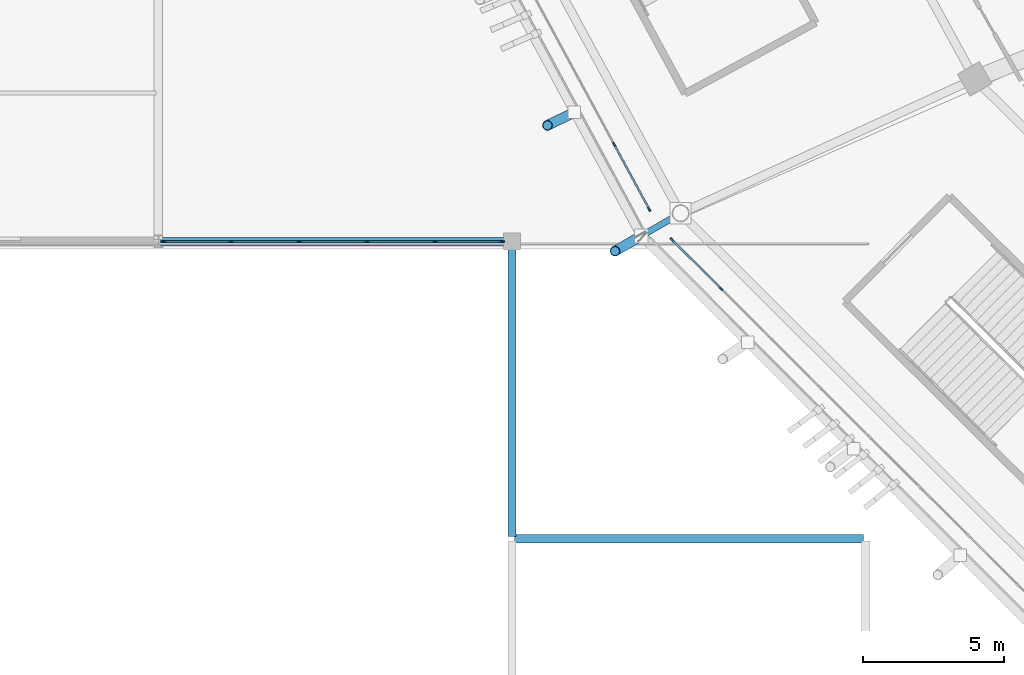
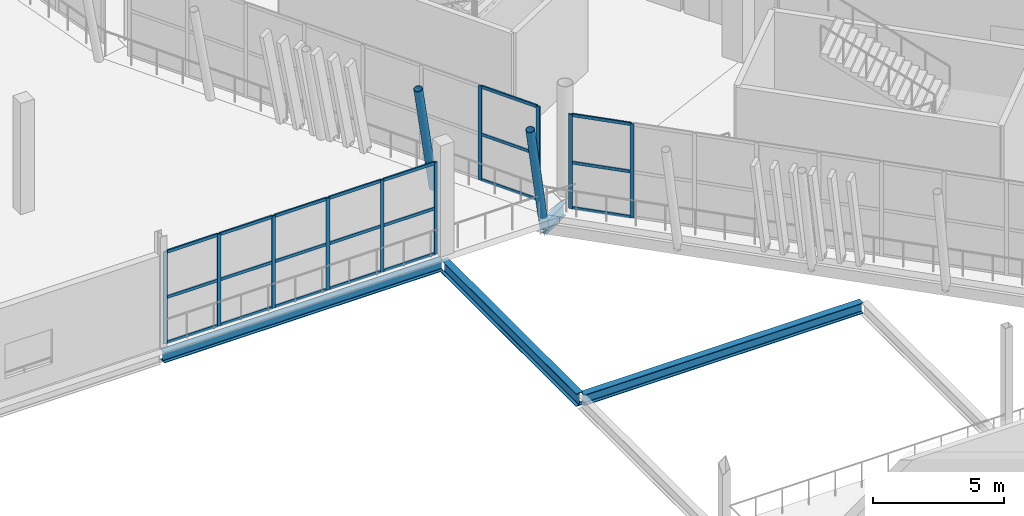
# One storey, part 27 of 178: 33 members, 4 beams, 3 elements without a shape of their own.
"""IFC4 building model written with IfcOpenShell, lengths in metres."""

from ifc_helpers import new_model, si_unit, direction, frame, origin, origin_2d, place, context, subcontext, project, spatial, rectangle, hollow_circle, i_section, extrude, material, material_profile, profile_set, type_object, element, aggregate, save


model = new_model("IFC4")

# Units and contexts
model_context = context("Model", 3, precision=1e-05, world=origin(), true_north=direction((0.0, 1.0)))
body_context = subcontext(model_context, "Body", "Model", "MODEL_VIEW")
ifc_project = project(units=[si_unit("LENGTHUNIT", "METRE"), si_unit("AREAUNIT", "SQUARE_METRE"), si_unit("VOLUMEUNIT", "CUBIC_METRE"), si_unit("PLANEANGLEUNIT", "RADIAN"), si_unit("MASSUNIT", "GRAM", prefix="KILO")], contexts=[model_context])

# Site, building, storey
site_placement = place(None, origin())
site = spatial("IfcSite", under=ifc_project, at=site_placement, CompositionType="ELEMENT")
building_placement = place(site_placement, origin())
building = spatial("IfcBuilding", under=site, at=building_placement, Name="Zlatoyarsky Gate Stadium", CompositionType="ELEMENT")
storey_placement = place(building_placement, frame((0.0, 0.0, 5.39990234375)))
storey = spatial("IfcBuildingStorey", under=building, at=storey_placement, Name="L01", CompositionType="ELEMENT", Elevation=5.39990234375)

# Curtain wall, members
ifc_material_1 = material(Name="Thermally broken anodised aluminium curtain wall", Category="aluminium")
curtain_wall_type_1 = type_object("IfcCurtainWallType", Name="UNITISED HOSPITALITY GLAZING L01", PredefinedType="USERDEFINED", material=ifc_material_1)
curtain_wall_1_placement = place(storey_placement, origin())
curtain_wall_1 = element("IfcCurtainWall", 1, at=curtain_wall_1_placement, inside=storey, type_object=curtain_wall_type_1, Name="Curtain wall CW-L01-13", ObjectType="UNITISED GLAZING", PredefinedType="USERDEFINED")
ifc_material_2 = material(Name="Anodised aluminium 6063-T6", Category="aluminium")
ifc_material_profile_1 = material_profile(ifc_material_2, rectangle(XDim=0.06494140625, YDim=0.159912109375, at=origin_2d()), Name="ALU 65X160")
ifc_profile_set_1 = profile_set([ifc_material_profile_1], Name="Anodised aluminium 6063-T6")
member_type_1 = type_object("IfcMemberType", Name="ALUMINIUM MULLION 65X160", PredefinedType="MULLION", material=ifc_profile_set_1)
member_1_placement = place(storey_placement, frame((28.11181640625, 46.931640625, 0.0), z_axis=(0.0, 0.0, 1.0), x_axis=(0.879560804301, 0.47578649785, 0.0)))
member_1 = element("IfcMember", 2, at=member_1_placement, type_object=member_type_1, Name="CW-UG1 mullion 7", PredefinedType="MULLION", context=body_context, shape_type="SweptSolid", body=[
    extrude(rectangle(XDim=0.06494140625, YDim=0.159912109375, at=origin_2d()), origin(), (0.0, 0.0, 1.0), 4.400146484375),
])
member_2_placement = place(storey_placement, frame((29.34814453125, 44.64599609375, 0.0), z_axis=(0.0, 0.0, 1.0), x_axis=(0.879560804301, 0.47578649785, 0.0)))
member_2 = element("IfcMember", 3, at=member_2_placement, type_object=member_type_1, Name="CW-UG1 mullion 8", PredefinedType="MULLION", context=body_context, shape_type="SweptSolid", body=[
    extrude(rectangle(XDim=0.06494140625, YDim=0.159912109375, at=origin_2d()), origin(), (0.0, 0.0, 1.0), 4.400146484375),
])

curtain_wall_2_placement = place(storey_placement, origin())
curtain_wall_2 = element("IfcCurtainWall", 4, at=curtain_wall_2_placement, inside=storey, type_object=curtain_wall_type_1, Name="Curtain wall CW-L01-14", ObjectType="UNITISED GLAZING", PredefinedType="USERDEFINED")
member_3_placement = place(storey_placement, frame((30.156005859375, 43.563720703125, 0.0), z_axis=(0.0, 0.0, 1.0), x_axis=(0.706373470498, 0.707839332176, 0.0)))
member_3 = element("IfcMember", 5, at=member_3_placement, type_object=member_type_1, Name="CW-UG1 mullion 1", PredefinedType="MULLION", context=body_context, shape_type="SweptSolid", body=[
    extrude(rectangle(XDim=0.06494140625, YDim=0.159912109375, at=origin_2d()), origin(), (0.0, 0.0, 1.0), 4.400146484375),
])
member_4_placement = place(storey_placement, frame((31.883544921875, 41.83984375, 0.0), z_axis=(0.0, 0.0, 1.0), x_axis=(0.706373470498, 0.707839332176, 0.0)))
member_4 = element("IfcMember", 6, at=member_4_placement, type_object=member_type_1, Name="CW-UG1 mullion 2", PredefinedType="MULLION", context=body_context, shape_type="SweptSolid", body=[
    extrude(rectangle(XDim=0.06494140625, YDim=0.159912109375, at=origin_2d()), origin(), (0.0, 0.0, 1.0), 4.400146484375),
])

curtain_wall_type_2 = type_object("IfcCurtainWallType", Name="WINTER GARDEN CONSERVATORY GLAZING", PredefinedType="USERDEFINED", material=ifc_material_1)
curtain_wall_3_placement = place(storey_placement, origin())
curtain_wall_3 = element("IfcCurtainWall", 7, at=curtain_wall_3_placement, inside=storey, type_object=curtain_wall_type_2, Name="Curtain wall CW-V4_WEST-L01-174", ObjectType="UNITISED GLAZING", PredefinedType="USERDEFINED")
member_5_placement = place(storey_placement, frame((12.194580078125, 43.5, 0.0), z_axis=(0.0, 0.0, 1.0), x_axis=(0.0, 1.0, 0.0)))
member_5 = element("IfcMember", 8, at=member_5_placement, type_object=member_type_1, Name="CW-WG1 mullion 1", PredefinedType="MULLION", context=body_context, shape_type="SweptSolid", body=[
    extrude(rectangle(XDim=0.06494140625, YDim=0.159912109375, at=origin_2d()), origin(), (0.0, 0.0, 1.0), 4.300048828125),
])
member_6_placement = place(storey_placement, frame((14.567138671875, 43.5, 0.0), z_axis=(0.0, 0.0, 1.0), x_axis=(0.0, 1.0, 0.0)))
member_6 = element("IfcMember", 9, at=member_6_placement, type_object=member_type_1, Name="CW-WG1 mullion 2", PredefinedType="MULLION", context=body_context, shape_type="SweptSolid", body=[
    extrude(rectangle(XDim=0.06494140625, YDim=0.159912109375, at=origin_2d()), origin(), (0.0, 0.0, 1.0), 4.300048828125),
])
member_7_placement = place(storey_placement, frame((16.972412109375, 43.5, 0.0), z_axis=(0.0, 0.0, 1.0), x_axis=(0.0, 1.0, 0.0)))
member_7 = element("IfcMember", 10, at=member_7_placement, type_object=member_type_1, Name="CW-WG1 mullion 3", PredefinedType="MULLION", context=body_context, shape_type="SweptSolid", body=[
    extrude(rectangle(XDim=0.06494140625, YDim=0.159912109375, at=origin_2d()), origin(), (0.0, 0.0, 1.0), 4.300048828125),
])
member_8_placement = place(storey_placement, frame((19.377685546875, 43.5, 0.0), z_axis=(0.0, 0.0, 1.0), x_axis=(0.0, 1.0, 0.0)))
member_8 = element("IfcMember", 11, at=member_8_placement, type_object=member_type_1, Name="CW-WG1 mullion 4", PredefinedType="MULLION", context=body_context, shape_type="SweptSolid", body=[
    extrude(rectangle(XDim=0.06494140625, YDim=0.159912109375, at=origin_2d()), origin(), (0.0, 0.0, 1.0), 4.300048828125),
])
member_9_placement = place(storey_placement, frame((21.78271484375, 43.5, 0.0), z_axis=(0.0, 0.0, 1.0), x_axis=(0.0, 1.0, 0.0)))
member_9 = element("IfcMember", 12, at=member_9_placement, type_object=member_type_1, Name="CW-WG1 mullion 5", PredefinedType="MULLION", context=body_context, shape_type="SweptSolid", body=[
    extrude(rectangle(XDim=0.06494140625, YDim=0.159912109375, at=origin_2d()), origin(), (0.0, 0.0, 1.0), 4.300048828125),
])
member_10_placement = place(storey_placement, frame((24.155517578125, 43.5, 0.0), z_axis=(0.0, 0.0, 1.0), x_axis=(0.0, 1.0, 0.0)))
member_10 = element("IfcMember", 13, at=member_10_placement, type_object=member_type_1, Name="CW-WG1 mullion 6", PredefinedType="MULLION", context=body_context, shape_type="SweptSolid", body=[
    extrude(rectangle(XDim=0.06494140625, YDim=0.159912109375, at=origin_2d()), origin(), (0.0, 0.0, 1.0), 4.300048828125),
])

# Member
ifc_material_profile_2 = material_profile(ifc_material_2, rectangle(XDim=0.06494140625, YDim=0.139892578125, at=origin_2d()), Name="ALU 65X140")
ifc_profile_set_2 = profile_set([ifc_material_profile_2], Name="Anodised aluminium 6063-T6")
member_type_2 = type_object("IfcMemberType", Name="ALUMINIUM TRANSOM 65X140", PredefinedType="USERDEFINED", material=ifc_profile_set_2)
member_11_placement = place(storey_placement, frame((28.127197265625, 46.903076171875, 0.03271484375), z_axis=(0.475811253632, -0.879547412546, 0.0), x_axis=(0.879547412546, 0.475811253632, 0.0)))
member_11 = element("IfcMember", 14, at=member_11_placement, type_object=member_type_2, Name="CW-UG1 transom 7.1", ObjectType="TRANSOM", PredefinedType="USERDEFINED", context=body_context, shape_type="SweptSolid", body=[
    extrude(rectangle(XDim=0.06494140625, YDim=0.139892578125, at=origin_2d()), origin(), (0.0, 0.0, 1.0), 2.53369140625),
])

member_12_placement = place(storey_placement, frame((28.127197265625, 46.903076171875, 2.150146484375), z_axis=(0.475811253632, -0.879547412546, 0.0), x_axis=(0.879547412546, 0.475811253632, 0.0)))
member_12 = element("IfcMember", 15, at=member_12_placement, type_object=member_type_2, Name="CW-UG1 transom 7.2", ObjectType="TRANSOM", PredefinedType="USERDEFINED", context=body_context, shape_type="SweptSolid", body=[
    extrude(rectangle(XDim=0.06494140625, YDim=0.139892578125, at=origin_2d()), origin(), (0.0, 0.0, 1.0), 2.53369140625),
])

member_13_placement = place(storey_placement, frame((28.127197265625, 46.903076171875, 4.36767578125), z_axis=(0.475811253632, -0.879547412546, 0.0), x_axis=(0.879547412546, 0.475811253632, 0.0)))
member_13 = element("IfcMember", 16, at=member_13_placement, type_object=member_type_2, Name="CW-UG1 transom 7.3", ObjectType="TRANSOM", PredefinedType="USERDEFINED", context=body_context, shape_type="SweptSolid", body=[
    extrude(rectangle(XDim=0.06494140625, YDim=0.139892578125, at=origin_2d()), origin(), (0.0, 0.0, 1.0), 2.53369140625),
])

aggregate(curtain_wall_1, [member_1, member_2, member_11, member_12, member_13])

member_14_placement = place(storey_placement, frame((30.178955078125, 43.540771484375, 0.03271484375), z_axis=(0.707825854859, -0.706386975526, 0.0), x_axis=(0.706386975526, 0.707825854859, 0.0)))
member_14 = element("IfcMember", 17, at=member_14_placement, type_object=member_type_2, Name="CW-UG1 transom 1.1", ObjectType="TRANSOM", PredefinedType="USERDEFINED", context=body_context, shape_type="SweptSolid", body=[
    extrude(rectangle(XDim=0.06494140625, YDim=0.139892578125, at=origin_2d()), origin(), (0.0, 0.0, 1.0), 2.37548828125),
])

member_15_placement = place(storey_placement, frame((30.178955078125, 43.540771484375, 2.150146484375), z_axis=(0.707825854859, -0.706386975526, 0.0), x_axis=(0.706386975526, 0.707825854859, 0.0)))
member_15 = element("IfcMember", 18, at=member_15_placement, type_object=member_type_2, Name="CW-UG1 transom 1.2", ObjectType="TRANSOM", PredefinedType="USERDEFINED", context=body_context, shape_type="SweptSolid", body=[
    extrude(rectangle(XDim=0.06494140625, YDim=0.139892578125, at=origin_2d()), origin(), (0.0, 0.0, 1.0), 2.37548828125),
])

member_16_placement = place(storey_placement, frame((30.178955078125, 43.540771484375, 4.36767578125), z_axis=(0.707825854859, -0.706386975526, 0.0), x_axis=(0.706386975526, 0.707825854859, 0.0)))
member_16 = element("IfcMember", 19, at=member_16_placement, type_object=member_type_2, Name="CW-UG1 transom 1.3", ObjectType="TRANSOM", PredefinedType="USERDEFINED", context=body_context, shape_type="SweptSolid", body=[
    extrude(rectangle(XDim=0.06494140625, YDim=0.139892578125, at=origin_2d()), origin(), (0.0, 0.0, 1.0), 2.37548828125),
])

aggregate(curtain_wall_2, [member_3, member_4, member_14, member_15, member_16])

member_17_placement = place(storey_placement, frame((12.22705078125, 43.5, 0.03271484375), z_axis=(1.0, 0.0, 0.0), x_axis=(0.0, 1.0, 0.0)))
member_17 = element("IfcMember", 20, at=member_17_placement, type_object=member_type_2, Name="CW-WG1 transom 1.1", ObjectType="TRANSOM", PredefinedType="USERDEFINED", context=body_context, shape_type="SweptSolid", body=[
    extrude(rectangle(XDim=0.06494140625, YDim=0.139892578125, at=origin_2d()), origin(), (0.0, 0.0, 1.0), 2.3076171875),
])

member_18_placement = place(storey_placement, frame((12.22705078125, 43.5, 2.150146484375), z_axis=(1.0, 0.0, 0.0), x_axis=(0.0, 1.0, 0.0)))
member_18 = element("IfcMember", 21, at=member_18_placement, type_object=member_type_2, Name="CW-WG1 transom 1.2", ObjectType="TRANSOM", PredefinedType="USERDEFINED", context=body_context, shape_type="SweptSolid", body=[
    extrude(rectangle(XDim=0.06494140625, YDim=0.139892578125, at=origin_2d()), origin(), (0.0, 0.0, 1.0), 2.3076171875),
])

member_19_placement = place(storey_placement, frame((12.22705078125, 43.5, 4.267578125), z_axis=(1.0, 0.0, 0.0), x_axis=(0.0, 1.0, 0.0)))
member_19 = element("IfcMember", 22, at=member_19_placement, type_object=member_type_2, Name="CW-WG1 transom 1.3", ObjectType="TRANSOM", PredefinedType="USERDEFINED", context=body_context, shape_type="SweptSolid", body=[
    extrude(rectangle(XDim=0.06494140625, YDim=0.139892578125, at=origin_2d()), origin(), (0.0, 0.0, 1.0), 2.3076171875),
])

member_20_placement = place(storey_placement, frame((14.599609375, 43.5, 0.03271484375), z_axis=(1.0, 0.0, 0.0), x_axis=(0.0, 1.0, 0.0)))
member_20 = element("IfcMember", 23, at=member_20_placement, type_object=member_type_2, Name="CW-WG1 transom 2.1", ObjectType="TRANSOM", PredefinedType="USERDEFINED", context=body_context, shape_type="SweptSolid", body=[
    extrude(rectangle(XDim=0.06494140625, YDim=0.139892578125, at=origin_2d()), origin(), (0.0, 0.0, 1.0), 2.34033203125),
])

member_21_placement = place(storey_placement, frame((14.599609375, 43.5, 2.150146484375), z_axis=(1.0, 0.0, 0.0), x_axis=(0.0, 1.0, 0.0)))
member_21 = element("IfcMember", 24, at=member_21_placement, type_object=member_type_2, Name="CW-WG1 transom 2.2", ObjectType="TRANSOM", PredefinedType="USERDEFINED", context=body_context, shape_type="SweptSolid", body=[
    extrude(rectangle(XDim=0.06494140625, YDim=0.139892578125, at=origin_2d()), origin(), (0.0, 0.0, 1.0), 2.34033203125),
])

member_22_placement = place(storey_placement, frame((14.599609375, 43.5, 4.267578125), z_axis=(1.0, 0.0, 0.0), x_axis=(0.0, 1.0, 0.0)))
member_22 = element("IfcMember", 25, at=member_22_placement, type_object=member_type_2, Name="CW-WG1 transom 2.3", ObjectType="TRANSOM", PredefinedType="USERDEFINED", context=body_context, shape_type="SweptSolid", body=[
    extrude(rectangle(XDim=0.06494140625, YDim=0.139892578125, at=origin_2d()), origin(), (0.0, 0.0, 1.0), 2.34033203125),
])

member_23_placement = place(storey_placement, frame((17.0048828125, 43.5, 0.03271484375), z_axis=(1.0, 0.0, 0.0), x_axis=(0.0, 1.0, 0.0)))
member_23 = element("IfcMember", 26, at=member_23_placement, type_object=member_type_2, Name="CW-WG1 transom 3.1", ObjectType="TRANSOM", PredefinedType="USERDEFINED", context=body_context, shape_type="SweptSolid", body=[
    extrude(rectangle(XDim=0.06494140625, YDim=0.139892578125, at=origin_2d()), origin(), (0.0, 0.0, 1.0), 2.34033203125),
])

member_24_placement = place(storey_placement, frame((17.0048828125, 43.5, 2.150146484375), z_axis=(1.0, 0.0, 0.0), x_axis=(0.0, 1.0, 0.0)))
member_24 = element("IfcMember", 27, at=member_24_placement, type_object=member_type_2, Name="CW-WG1 transom 3.2", ObjectType="TRANSOM", PredefinedType="USERDEFINED", context=body_context, shape_type="SweptSolid", body=[
    extrude(rectangle(XDim=0.06494140625, YDim=0.139892578125, at=origin_2d()), origin(), (0.0, 0.0, 1.0), 2.34033203125),
])

member_25_placement = place(storey_placement, frame((17.0048828125, 43.5, 4.267578125), z_axis=(1.0, 0.0, 0.0), x_axis=(0.0, 1.0, 0.0)))
member_25 = element("IfcMember", 28, at=member_25_placement, type_object=member_type_2, Name="CW-WG1 transom 3.3", ObjectType="TRANSOM", PredefinedType="USERDEFINED", context=body_context, shape_type="SweptSolid", body=[
    extrude(rectangle(XDim=0.06494140625, YDim=0.139892578125, at=origin_2d()), origin(), (0.0, 0.0, 1.0), 2.34033203125),
])

member_26_placement = place(storey_placement, frame((19.41015625, 43.5, 0.03271484375), z_axis=(1.0, 0.0, 0.0), x_axis=(0.0, 1.0, 0.0)))
member_26 = element("IfcMember", 29, at=member_26_placement, type_object=member_type_2, Name="CW-WG1 transom 4.1", ObjectType="TRANSOM", PredefinedType="USERDEFINED", context=body_context, shape_type="SweptSolid", body=[
    extrude(rectangle(XDim=0.06494140625, YDim=0.139892578125, at=origin_2d()), origin(), (0.0, 0.0, 1.0), 2.340087890625),
])

member_27_placement = place(storey_placement, frame((19.41015625, 43.5, 2.150146484375), z_axis=(1.0, 0.0, 0.0), x_axis=(0.0, 1.0, 0.0)))
member_27 = element("IfcMember", 30, at=member_27_placement, type_object=member_type_2, Name="CW-WG1 transom 4.2", ObjectType="TRANSOM", PredefinedType="USERDEFINED", context=body_context, shape_type="SweptSolid", body=[
    extrude(rectangle(XDim=0.06494140625, YDim=0.139892578125, at=origin_2d()), origin(), (0.0, 0.0, 1.0), 2.340087890625),
])

member_28_placement = place(storey_placement, frame((19.41015625, 43.5, 4.267578125), z_axis=(1.0, 0.0, 0.0), x_axis=(0.0, 1.0, 0.0)))
member_28 = element("IfcMember", 31, at=member_28_placement, type_object=member_type_2, Name="CW-WG1 transom 4.3", ObjectType="TRANSOM", PredefinedType="USERDEFINED", context=body_context, shape_type="SweptSolid", body=[
    extrude(rectangle(XDim=0.06494140625, YDim=0.139892578125, at=origin_2d()), origin(), (0.0, 0.0, 1.0), 2.340087890625),
])

member_29_placement = place(storey_placement, frame((21.815185546875, 43.5, 0.03271484375), z_axis=(1.0, 0.0, 0.0), x_axis=(0.0, 1.0, 0.0)))
member_29 = element("IfcMember", 32, at=member_29_placement, type_object=member_type_2, Name="CW-WG1 transom 5.1", ObjectType="TRANSOM", PredefinedType="USERDEFINED", context=body_context, shape_type="SweptSolid", body=[
    extrude(rectangle(XDim=0.06494140625, YDim=0.139892578125, at=origin_2d()), origin(), (0.0, 0.0, 1.0), 2.307861328125),
])

member_30_placement = place(storey_placement, frame((21.815185546875, 43.5, 2.150146484375), z_axis=(1.0, 0.0, 0.0), x_axis=(0.0, 1.0, 0.0)))
member_30 = element("IfcMember", 33, at=member_30_placement, type_object=member_type_2, Name="CW-WG1 transom 5.2", ObjectType="TRANSOM", PredefinedType="USERDEFINED", context=body_context, shape_type="SweptSolid", body=[
    extrude(rectangle(XDim=0.06494140625, YDim=0.139892578125, at=origin_2d()), origin(), (0.0, 0.0, 1.0), 2.307861328125),
])

member_31_placement = place(storey_placement, frame((21.815185546875, 43.5, 4.267578125), z_axis=(1.0, 0.0, 0.0), x_axis=(0.0, 1.0, 0.0)))
member_31 = element("IfcMember", 34, at=member_31_placement, type_object=member_type_2, Name="CW-WG1 transom 5.3", ObjectType="TRANSOM", PredefinedType="USERDEFINED", context=body_context, shape_type="SweptSolid", body=[
    extrude(rectangle(XDim=0.06494140625, YDim=0.139892578125, at=origin_2d()), origin(), (0.0, 0.0, 1.0), 2.307861328125),
])

aggregate(curtain_wall_3, [member_5, member_6, member_7, member_8, member_9, member_10, member_17, member_18, member_19, member_20, member_21, member_22, member_23, member_24, member_25, member_26, member_27, member_28, member_29, member_30, member_31])

# Beam
ifc_material_3 = material(Name="Steel S355", Category="steel")
ifc_material_profile_3 = material_profile(ifc_material_3, i_section(OverallWidth=0.219970703125, OverallDepth=0.60009765625, WebThickness=0.011962890625, FlangeThickness=0.01904296875, FilletRadius=0.02392578125, at=origin_2d()), Name="IPE 600")
ifc_profile_set_3 = profile_set([ifc_material_profile_3], Name="Steel S355")
beam_type_1 = type_object("IfcBeamType", Name="STEEL CANTILEVER FLOOR BEAM IPE 600", PredefinedType="BEAM", material=ifc_profile_set_3)
beam_1_placement = place(storey_placement, frame((30.355712890625, 44.43994140625, -0.599853515625), z_axis=(-0.866054481515, -0.499949632511, 0.0), x_axis=(0.499949632511, -0.866054481515, 0.0)))
element("IfcBeam", 35, at=beam_1_placement, inside=storey, type_object=beam_type_1, Name="Beam B-IPE600 BM-L01-OUT-14", PredefinedType="BEAM", context=body_context, shape_type="SweptSolid", body=[
    extrude(i_section(OverallWidth=0.219970703125, OverallDepth=0.60009765625, WebThickness=0.011962890625, FlangeThickness=0.01904296875, FilletRadius=0.02392578125, at=origin_2d()), origin(), (0.0, 0.0, 1.0), 1.488525390625),
])

# Members
ifc_material_profile_4 = material_profile(ifc_material_3, hollow_circle(Radius=0.177734375, WallThickness=0.02001953125, at=origin_2d()), Name="CHS 355.6X20")
ifc_profile_set_4 = profile_set([ifc_material_profile_4], Name="Steel S355")
member_type_3 = type_object("IfcMemberType", Name="STEEL LEANING RIB RING STRUT CHS 355.6X20", PredefinedType="STRUT", material=ifc_profile_set_4)
member_32_placement = place(storey_placement, frame((29.066650390625, 43.69580078125, -0.599853515625), z_axis=(-0.173528176183, -0.100167043342, 0.979721662259), x_axis=(0.499927021214, -0.866067534006, 0.0)))
element("IfcMember", 36, at=member_32_placement, inside=storey, type_object=member_type_3, Name="Leaning ring strut 14 L01 to L02", PredefinedType="STRUT", context=body_context, shape_type="SweptSolid", body=[
    extrude(hollow_circle(Radius=0.177734375, WallThickness=0.02001953125, at=origin_2d()), origin(), (0.0, 0.0, 1.0), 5.328125),
])
member_33_placement = place(storey_placement, frame((26.70361328125, 48.07373046875, -0.5498046875), z_axis=(-0.178524731367, -0.088093590164, 0.979983897655), x_axis=(0.442510646428, -0.896763250695, 0.0)))
element("IfcMember", 37, at=member_33_placement, inside=storey, type_object=member_type_3, Name="Outward-leaning bowl louvre fin rib L01 13-3", PredefinedType="STRUT", context=body_context, shape_type="SweptSolid", body=[
    extrude(hollow_circle(Radius=0.177734375, WallThickness=0.02001953125, at=origin_2d()), origin(), (0.0, 0.0, 1.0), 5.32666015625),
])

# Beams
ifc_material_profile_5 = material_profile(ifc_material_3, i_section(OverallWidth=0.300048828125, OverallDepth=0.5, WebThickness=0.014404296875, FlangeThickness=0.028076171875, FilletRadius=0.027099609375, at=origin_2d()), Name="HEB 500")
ifc_profile_set_5 = profile_set([ifc_material_profile_5], Name="Steel S355")
beam_type_2 = type_object("IfcBeamType", Name="STEEL PRIMARY GIRDER HEB 500", PredefinedType="BEAM", material=ifc_profile_set_5)
for number, where, z_axis, x_axis, name in (
    (38, (12.080078125, 43.5, -0.5498046875), (1.0, 0.0, 0.0), (0.0, 1.0, 0.0), "Beam G-HEB500 BM-L01-WGX-2-E"),
    (39, (24.580078125, 33.0, -0.5498046875), (1.0, 0.0, 0.0), (0.0, 1.0, 0.0), "Beam G-HEB500 BM-L01-WGX-3-D"),
):
    element("IfcBeam", number, at=place(storey_placement, frame(where, z_axis=z_axis, x_axis=x_axis)), inside=storey, type_object=beam_type_2, Name=name, PredefinedType="BEAM", context=body_context, shape_type="SweptSolid", body=[
        extrude(i_section(OverallWidth=0.300048828125, OverallDepth=0.5, WebThickness=0.014404296875, FlangeThickness=0.028076171875, FilletRadius=0.027099609375, at=origin_2d()), origin(), (0.0, 0.0, 1.0), 12.33984375),
    ])
ifc_material_profile_6 = material_profile(ifc_material_3, i_section(OverallWidth=0.300048828125, OverallDepth=0.60009765625, WebThickness=0.015380859375, FlangeThickness=0.030029296875, FilletRadius=0.027099609375, at=origin_2d()), Name="HEB 600")
ifc_profile_set_6 = profile_set([ifc_material_profile_6], Name="Steel S355")
beam_type_3 = type_object("IfcBeamType", Name="STEEL PRIMARY GIRDER HEB 600", PredefinedType="BEAM", material=ifc_profile_set_6)
beam_2_placement = place(storey_placement, frame((24.5, 33.080078125, -0.599853515625), z_axis=(0.0, 1.0, 0.0), x_axis=(-1.0, 0.0, 0.0)))
element("IfcBeam", 40, at=beam_2_placement, inside=storey, type_object=beam_type_3, Name="Beam G-HEB600 BM-L01-WGY-3-D", PredefinedType="BEAM", context=body_context, shape_type="SweptSolid", body=[
    extrude(i_section(OverallWidth=0.300048828125, OverallDepth=0.60009765625, WebThickness=0.015380859375, FlangeThickness=0.030029296875, FilletRadius=0.027099609375, at=origin_2d()), origin(), (0.0, 0.0, 1.0), 10.33984375),
])

save(model, "model.ifc")
